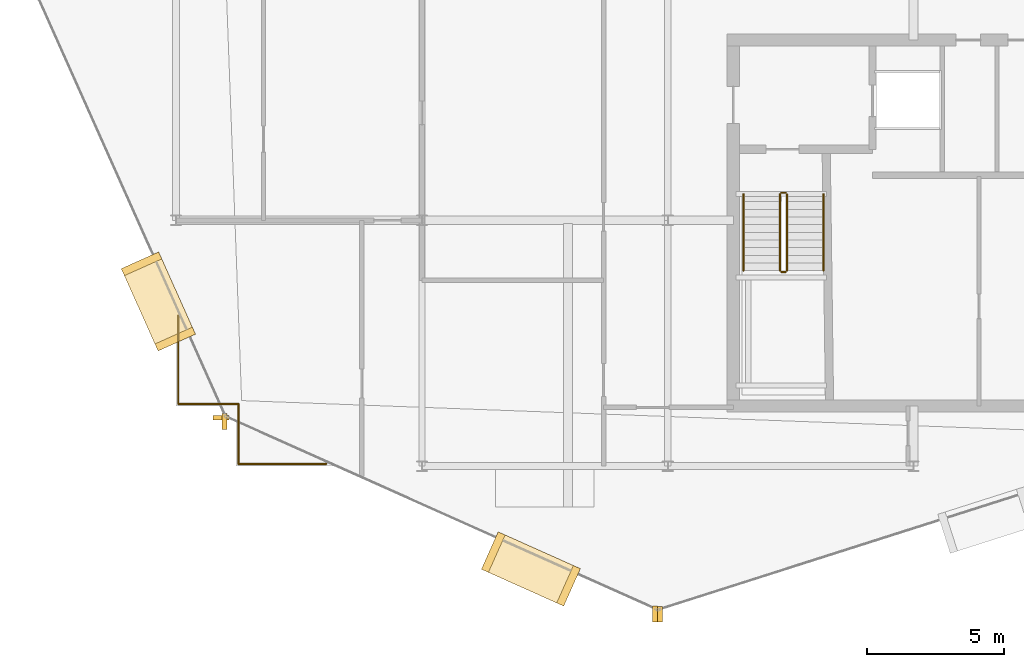
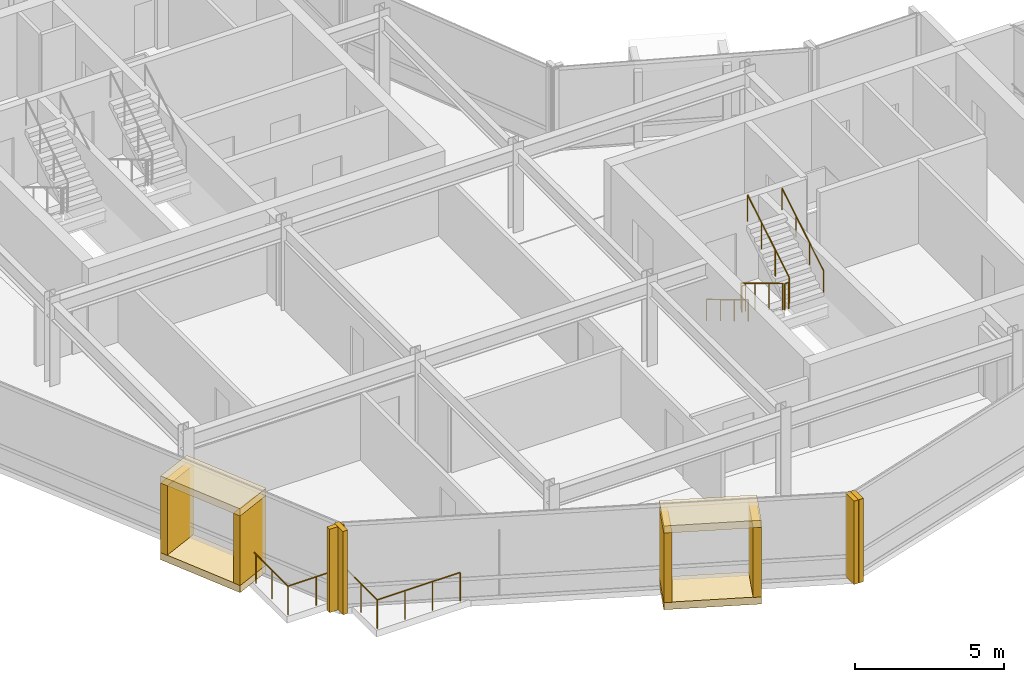
# One storey, part 16 of 19: 12 coverings, 10 railings.
"""IFC4 building model written with IfcOpenShell, lengths in metres."""

from ifc_helpers import new_model, si_unit, direction, frame, origin, origin_2d, place, context, subcontext, project, spatial, rectangle, circle, extrude, material, layer, layer_set, type_object, element, save


model = new_model("IFC4")

# Units and contexts
model_context = context("Model", 3, precision=1e-05, world=origin(), true_north=direction((0.0, 1.0)))
body_context = subcontext(model_context, "Body", "Model", "MODEL_VIEW")
ifc_project = project(units=[si_unit("LENGTHUNIT", "METRE"), si_unit("AREAUNIT", "SQUARE_METRE"), si_unit("VOLUMEUNIT", "CUBIC_METRE"), si_unit("PLANEANGLEUNIT", "RADIAN"), si_unit("MASSUNIT", "GRAM", prefix="KILO")], contexts=[model_context])

# Site, building, storey
site_placement = place(None, origin())
site = spatial("IfcSite", under=ifc_project, at=site_placement, CompositionType="ELEMENT")
building_placement = place(site_placement, origin())
building = spatial("IfcBuilding", under=site, at=building_placement, Name="Solvaryn Broadcast Tower", CompositionType="ELEMENT")
storey_placement = place(building_placement, frame((0.0, 0.0, 266.699951171875)))
storey = spatial("IfcBuildingStorey", under=building, at=storey_placement, Name="L67", CompositionType="ELEMENT", Elevation=266.699951171875)

# Coverings
ifc_material_1 = material(Name="Glazed Architectural Terracotta Rainscreen Cladding", Category="masonry")
ifc_layer_1 = layer(ifc_material_1, 0.280029296875)
ifc_layer_set_1 = layer_set([ifc_layer_1], Name="CV-TC-CLAD")
covering_type_1 = type_object("IfcCoveringType", Name="CV-TC-CLAD", PredefinedType="CLADDING", material=ifc_layer_set_1)
for number, where, z_axis, x_axis, name in (
    (1, (8.35107421875, 15.030029296875, 3.1298828125), (0.0, 0.0, 1.0), (0.408489773781, -0.91276289622, 0.0), "L67 Projecting Stone Window Box Hood 2"),
    (2, (8.35107421875, 15.030029296875, -0.009765625), (0.0, 0.0, 1.0), (0.408489773781, -0.91276289622, 0.0), "L67 Projecting Stone Window Box Sill 2"),
):
    element("IfcCovering", number, at=place(storey_placement, frame(where, z_axis=z_axis, x_axis=x_axis)), inside=storey, type_object=covering_type_1, Name=name, PredefinedType="CLADDING", context=body_context, shape_type="SweptSolid", body=[
        extrude(rectangle(XDim=3.300048828125, YDim=1.5, at=origin_2d()), origin(), (0.0, 0.0, 1.0), 0.300048828125),
    ])
for number, where, z_axis, x_axis, name in (
    (3, (7.734130859375, 16.408203125, 0.27978515625), (0.0, 0.0, 1.0), (0.408489773781, -0.91276289622, 0.0), "L67 Projecting Stone Window Box Cheek 2-1"),
    (4, (8.9677734375, 13.651611328125, 0.27978515625), (0.0, 0.0, 1.0), (0.408489773781, -0.91276289622, 0.0), "L67 Projecting Stone Window Box Cheek 2-2"),
):
    element("IfcCovering", number, at=place(storey_placement, frame(where, z_axis=z_axis, x_axis=x_axis)), inside=storey, type_object=covering_type_1, Name=name, PredefinedType="CLADDING", context=body_context, shape_type="SweptSolid", body=[
        extrude(rectangle(XDim=0.280029296875, YDim=1.5, at=origin_2d()), origin(), (0.0, 0.0, 1.0), 2.860107421875),
    ])
for number, where, z_axis, x_axis, name in (
    (5, (21.989990234375, 5.236083984375, 3.1298828125), (0.0, 0.0, 1.0), (0.91276289622, -0.408489773781, 0.0), "L67 Projecting Stone Window Box Hood 3"),
    (6, (21.989990234375, 5.236083984375, -0.009765625), (0.0, 0.0, 1.0), (0.91276289622, -0.408489773781, 0.0), "L67 Projecting Stone Window Box Sill 3"),
):
    element("IfcCovering", number, at=place(storey_placement, frame(where, z_axis=z_axis, x_axis=x_axis)), inside=storey, type_object=covering_type_1, Name=name, PredefinedType="CLADDING", context=body_context, shape_type="SweptSolid", body=[
        extrude(rectangle(XDim=3.300048828125, YDim=1.5, at=origin_2d()), origin(), (0.0, 0.0, 1.0), 0.300048828125),
    ])
for number, where, z_axis, x_axis, name in (
    (7, (20.61181640625, 5.852783203125, 0.27978515625), (0.0, 0.0, 1.0), (0.91276289622, -0.408489773781, 0.0), "L67 Projecting Stone Window Box Cheek 3-1"),
    (8, (23.368408203125, 4.619140625, 0.27978515625), (0.0, 0.0, 1.0), (0.91276289622, -0.408489773781, 0.0), "L67 Projecting Stone Window Box Cheek 3-2"),
):
    element("IfcCovering", number, at=place(storey_placement, frame(where, z_axis=z_axis, x_axis=x_axis)), inside=storey, type_object=covering_type_1, Name=name, PredefinedType="CLADDING", context=body_context, shape_type="SweptSolid", body=[
        extrude(rectangle(XDim=0.280029296875, YDim=1.5, at=origin_2d()), origin(), (0.0, 0.0, 1.0), 2.860107421875),
    ])
ifc_material_2 = material(Name="Extruded Architectural Terracotta Fin", Category="masonry")
ifc_layer_2 = layer(ifc_material_2, 0.179931640625)
ifc_layer_set_2 = layer_set([ifc_layer_2], Name="CV-TC-FIN")
covering_type_2 = type_object("IfcCoveringType", Name="CV-TC-FIN", PredefinedType="USERDEFINED", material=ifc_layer_set_2)
covering_placement = place(storey_placement, frame((10.640380859375, 10.77099609375, 0.0), z_axis=(0.0, 0.0, 1.0), x_axis=(1.0, 0.0, 0.0)))
element("IfcCovering", 9, at=covering_placement, inside=storey, type_object=covering_type_2, Name="L67 Terracotta Vertical Fin FIN-L67-DR2-M01", ObjectType="FIN", PredefinedType="USERDEFINED", context=body_context, shape_type="SweptSolid", body=[
    extrude(rectangle(XDim=0.580078125, YDim=0.179931640625, at=origin_2d()), origin(), (0.0, 0.0, 1.0), 3.419921875),
])
for number, where, z_axis, x_axis, name in (
    (10, (10.77099609375, 10.640380859375, 0.0), (0.0, 0.0, 1.0), (1.0, 0.0, 0.0), "L67 Terracotta Vertical Fin FIN-L67-DR3-M00"),
    (11, (26.53515625, 3.5859375, 0.0), (0.0, 0.0, 1.0), (1.0, 0.0, 0.0), "L67 Terracotta Vertical Fin FIN-L67-DR3-M01"),
    (12, (26.71923828125, 3.575439453125, 0.0), (0.0, 0.0, 1.0), (1.0, 0.0, 0.0), "L67 Terracotta Vertical Fin FIN-L67-DR4-M00"),
):
    element("IfcCovering", number, at=place(storey_placement, frame(where, z_axis=z_axis, x_axis=x_axis)), inside=storey, type_object=covering_type_2, Name=name, ObjectType="FIN", PredefinedType="USERDEFINED", context=body_context, shape_type="SweptSolid", body=[
        extrude(rectangle(XDim=0.179931640625, YDim=0.580078125, at=origin_2d()), origin(), (0.0, 0.0, 1.0), 3.419921875),
    ])

# Railings
ifc_material_3 = material(Name="Stainless Steel and Laminated Glass Guard", Category="steel")
railing_type_1 = type_object("IfcRailingType", Name="RL-SKYG-1200", PredefinedType="BALUSTRADE", material=ifc_material_3)
railing_1_placement = place(storey_placement, frame((9.080078125, 14.5, 0.0)))
element("IfcRailing", 13, at=railing_1_placement, inside=storey, type_object=railing_type_1, Name="L67 Upper SW Corner Balustrade 1", PredefinedType="BALUSTRADE", context=body_context, shape_type="SweptSolid", body=[
    extrude(circle(Radius=0.02392578125, at=origin_2d()), frame((0.0, 0.0, 1.17578125), z_axis=(0.0, -1.0, 0.0), x_axis=(1.0, 0.0, 0.0)), (0.0, 0.0, 1.0), 3.219970703125),
    extrude(circle(Radius=0.02099609375, at=origin_2d()), origin(), (0.0, 0.0, 1.0), 1.15185546875),
    extrude(circle(Radius=0.02099609375, at=origin_2d()), frame((0.0, -1.0732421875, 0.0)), (0.0, 0.0, 1.0), 1.15185546875),
    extrude(circle(Radius=0.02099609375, at=origin_2d()), frame((0.0, -2.146728515625, 0.0)), (0.0, 0.0, 1.0), 1.15185546875),
    extrude(circle(Radius=0.02099609375, at=origin_2d()), frame((0.0, -3.219970703125, 0.0)), (0.0, 0.0, 1.0), 1.15185546875),
])
railing_2_placement = place(storey_placement, frame((9.080078125, 11.280029296875, 0.0)))
element("IfcRailing", 14, at=railing_2_placement, inside=storey, type_object=railing_type_1, Name="L67 Upper SW Corner Balustrade 2", PredefinedType="BALUSTRADE", context=body_context, shape_type="SweptSolid", body=[
    extrude(circle(Radius=0.02392578125, at=origin_2d()), frame((0.0, 0.0, 1.17578125), z_axis=(1.0, 0.0, 0.0), x_axis=(0.0, 1.0, 0.0)), (0.0, 0.0, 1.0), 2.199951171875),
    extrude(circle(Radius=0.02099609375, at=origin_2d()), origin(), (0.0, 0.0, 1.0), 1.15185546875),
    extrude(circle(Radius=0.02099609375, at=origin_2d()), frame((1.10009765625, 0.0, 0.0)), (0.0, 0.0, 1.0), 1.15185546875),
    extrude(circle(Radius=0.02099609375, at=origin_2d()), frame((2.199951171875, 0.0, 0.0)), (0.0, 0.0, 1.0), 1.15185546875),
])
railing_3_placement = place(storey_placement, frame((11.280029296875, 11.280029296875, 0.0)))
element("IfcRailing", 15, at=railing_3_placement, inside=storey, type_object=railing_type_1, Name="L67 Upper SW Corner Balustrade 3", PredefinedType="BALUSTRADE", context=body_context, shape_type="SweptSolid", body=[
    extrude(circle(Radius=0.02392578125, at=origin_2d()), frame((0.0, 0.0, 1.17578125), z_axis=(0.0, -1.0, 0.0), x_axis=(1.0, 0.0, 0.0)), (0.0, 0.0, 1.0), 2.199951171875),
    extrude(circle(Radius=0.02099609375, at=origin_2d()), origin(), (0.0, 0.0, 1.0), 1.15185546875),
    extrude(circle(Radius=0.02099609375, at=origin_2d()), frame((0.0, -1.10009765625, 0.0)), (0.0, 0.0, 1.0), 1.15185546875),
    extrude(circle(Radius=0.02099609375, at=origin_2d()), frame((0.0, -2.199951171875, 0.0)), (0.0, 0.0, 1.0), 1.15185546875),
])
railing_4_placement = place(storey_placement, frame((11.280029296875, 9.080078125, 0.0)))
element("IfcRailing", 16, at=railing_4_placement, inside=storey, type_object=railing_type_1, Name="L67 Upper SW Corner Balustrade 4", PredefinedType="BALUSTRADE", context=body_context, shape_type="SweptSolid", body=[
    extrude(circle(Radius=0.02392578125, at=origin_2d()), frame((0.0, 0.0, 1.17578125), z_axis=(1.0, 0.0, 0.0), x_axis=(0.0, 1.0, 0.0)), (0.0, 0.0, 1.0), 3.219970703125),
    extrude(circle(Radius=0.02099609375, at=origin_2d()), origin(), (0.0, 0.0, 1.0), 1.15185546875),
    extrude(circle(Radius=0.02099609375, at=origin_2d()), frame((1.0732421875, 0.0, 0.0)), (0.0, 0.0, 1.0), 1.15185546875),
    extrude(circle(Radius=0.02099609375, at=origin_2d()), frame((2.146728515625, 0.0, 0.0)), (0.0, 0.0, 1.0), 1.15185546875),
    extrude(circle(Radius=0.02099609375, at=origin_2d()), frame((3.219970703125, 0.0, 0.0)), (0.0, 0.0, 1.0), 1.15185546875),
])
ifc_material_4 = material(Name="Painted Steel Stair Well Guard", Category="steel")
railing_type_2 = type_object("IfcRailingType", Name="RL-STAIR-GUARD", PredefinedType="BALUSTRADE", material=ifc_material_4)
railing_5_placement = place(storey_placement, frame((31.110107421875, 18.9599609375, 0.168212890625)))
element("IfcRailing", 17, at=railing_5_placement, inside=storey, type_object=railing_type_2, Name="L67 ST3 stair guard 1", PredefinedType="BALUSTRADE", context=body_context, shape_type="SweptSolid", body=[
    extrude(circle(Radius=0.02392578125, at=origin_2d()), frame((0.0, 0.0, 1.076171875), z_axis=(0.0, -0.857242210791, 0.514913383045), x_axis=(1.0, 0.0, 0.0)), (0.0, 0.0, 1.0), 3.266357421875),
    extrude(circle(Radius=0.02099609375, at=origin_2d()), origin(), (0.0, 0.0, 1.0), 1.052001953125),
    extrude(circle(Radius=0.02099609375, at=origin_2d()), frame((0.0, -0.933349609375, 0.560546875)), (0.0, 0.0, 1.0), 1.052001953125),
    extrude(circle(Radius=0.02099609375, at=origin_2d()), frame((0.0, -1.86669921875, 1.121337890625)), (0.0, 0.0, 1.0), 1.052001953125),
    extrude(circle(Radius=0.02099609375, at=origin_2d()), frame((0.0, -2.800048828125, 1.681884765625)), (0.0, 0.0, 1.0), 1.052001953125),
])
railing_6_placement = place(storey_placement, frame((31.159912109375, 16.110107421875, 1.85009765625)))
element("IfcRailing", 18, at=railing_6_placement, inside=storey, type_object=railing_type_2, Name="L67 ST3 stair guard 2", PredefinedType="BALUSTRADE", context=body_context, shape_type="SweptSolid", body=[
    extrude(circle(Radius=0.02392578125, at=origin_2d()), frame((0.0, 0.0, 1.076171875), z_axis=(1.0, 0.0, 0.0), x_axis=(0.0, 1.0, 0.0)), (0.0, 0.0, 1.0), 0.150146484375),
    extrude(circle(Radius=0.02099609375, at=origin_2d()), origin(), (0.0, 0.0, 1.0), 1.052001953125),
    extrude(circle(Radius=0.02099609375, at=origin_2d()), frame((0.150146484375, 0.0, 0.0)), (0.0, 0.0, 1.0), 1.052001953125),
])
railing_7_placement = place(storey_placement, frame((31.360107421875, 16.159912109375, 2.018310546875)))
element("IfcRailing", 19, at=railing_7_placement, inside=storey, type_object=railing_type_2, Name="L67 ST3 stair guard 3", PredefinedType="BALUSTRADE", context=body_context, shape_type="SweptSolid", body=[
    extrude(circle(Radius=0.02392578125, at=origin_2d()), frame((0.0, 0.0, 1.076171875), z_axis=(0.0, 0.857275202839, 0.514858452973), x_axis=(-1.0, 0.0, 0.0)), (0.0, 0.0, 1.0), 3.26611328125),
    extrude(circle(Radius=0.02099609375, at=origin_2d()), origin(), (0.0, 0.0, 1.0), 1.052001953125),
    extrude(circle(Radius=0.02099609375, at=origin_2d()), frame((0.0, 0.933349609375, 0.560546875)), (0.0, 0.0, 1.0), 1.052001953125),
    extrude(circle(Radius=0.02099609375, at=origin_2d()), frame((0.0, 1.86669921875, 1.12109375)), (0.0, 0.0, 1.0), 1.052001953125),
    extrude(circle(Radius=0.02099609375, at=origin_2d()), frame((0.0, 2.800048828125, 1.681640625)), (0.0, 0.0, 1.0), 1.052001953125),
])
railing_8_placement = place(storey_placement, frame((31.159912109375, 19.010009765625, 0.0)))
element("IfcRailing", 20, at=railing_8_placement, inside=storey, type_object=railing_type_2, Name="L67 ST3 stair guard 4", PredefinedType="BALUSTRADE", context=body_context, shape_type="SweptSolid", body=[
    extrude(circle(Radius=0.02392578125, at=origin_2d()), frame((0.0, 0.0, 1.076171875), z_axis=(1.0, 0.0, 0.0), x_axis=(0.0, 1.0, 0.0)), (0.0, 0.0, 1.0), 0.150146484375),
    extrude(circle(Radius=0.02099609375, at=origin_2d()), origin(), (0.0, 0.0, 1.0), 1.052001953125),
    extrude(circle(Radius=0.02099609375, at=origin_2d()), frame((0.150146484375, 0.0, 0.0)), (0.0, 0.0, 1.0), 1.052001953125),
])
ifc_material_5 = material(Name="Brushed Stainless Steel Tubular Handrail", Category="steel")
railing_type_3 = type_object("IfcRailingType", Name="RL-STAIR-HANDRAIL", PredefinedType="HANDRAIL", material=ifc_material_5)
railing_9_placement = place(storey_placement, frame((29.77001953125, 18.9599609375, 0.168212890625)))
element("IfcRailing", 21, at=railing_9_placement, inside=storey, type_object=railing_type_3, Name="L67 ST3 stair handrail 1", PredefinedType="HANDRAIL", context=body_context, shape_type="SweptSolid", body=[
    extrude(circle(Radius=0.02392578125, at=origin_2d()), frame((0.0, 0.0, 0.8759765625), z_axis=(0.0, -0.857242210791, 0.514913383045), x_axis=(1.0, 0.0, 0.0)), (0.0, 0.0, 1.0), 3.266357421875),
    extrude(circle(Radius=0.02099609375, at=origin_2d()), origin(), (0.0, 0.0, 1.0), 0.851806640625),
    extrude(circle(Radius=0.02099609375, at=origin_2d()), frame((0.0, -0.933349609375, 0.560546875)), (0.0, 0.0, 1.0), 0.851806640625),
    extrude(circle(Radius=0.02099609375, at=origin_2d()), frame((0.0, -1.86669921875, 1.121337890625)), (0.0, 0.0, 1.0), 0.851806640625),
    extrude(circle(Radius=0.02099609375, at=origin_2d()), frame((0.0, -2.800048828125, 1.681884765625)), (0.0, 0.0, 1.0), 0.851806640625),
])
railing_10_placement = place(storey_placement, frame((32.699951171875, 16.159912109375, 2.018310546875)))
element("IfcRailing", 22, at=railing_10_placement, inside=storey, type_object=railing_type_3, Name="L67 ST3 stair handrail 2", PredefinedType="HANDRAIL", context=body_context, shape_type="SweptSolid", body=[
    extrude(circle(Radius=0.02392578125, at=origin_2d()), frame((0.0, 0.0, 0.8759765625), z_axis=(0.0, 0.857275202839, 0.514858452973), x_axis=(-1.0, 0.0, 0.0)), (0.0, 0.0, 1.0), 3.26611328125),
    extrude(circle(Radius=0.02099609375, at=origin_2d()), origin(), (0.0, 0.0, 1.0), 0.851806640625),
    extrude(circle(Radius=0.02099609375, at=origin_2d()), frame((0.0, 0.933349609375, 0.560546875)), (0.0, 0.0, 1.0), 0.851806640625),
    extrude(circle(Radius=0.02099609375, at=origin_2d()), frame((0.0, 1.86669921875, 1.12109375)), (0.0, 0.0, 1.0), 0.851806640625),
    extrude(circle(Radius=0.02099609375, at=origin_2d()), frame((0.0, 2.800048828125, 1.681640625)), (0.0, 0.0, 1.0), 0.851806640625),
])

save(model, "model.ifc")
